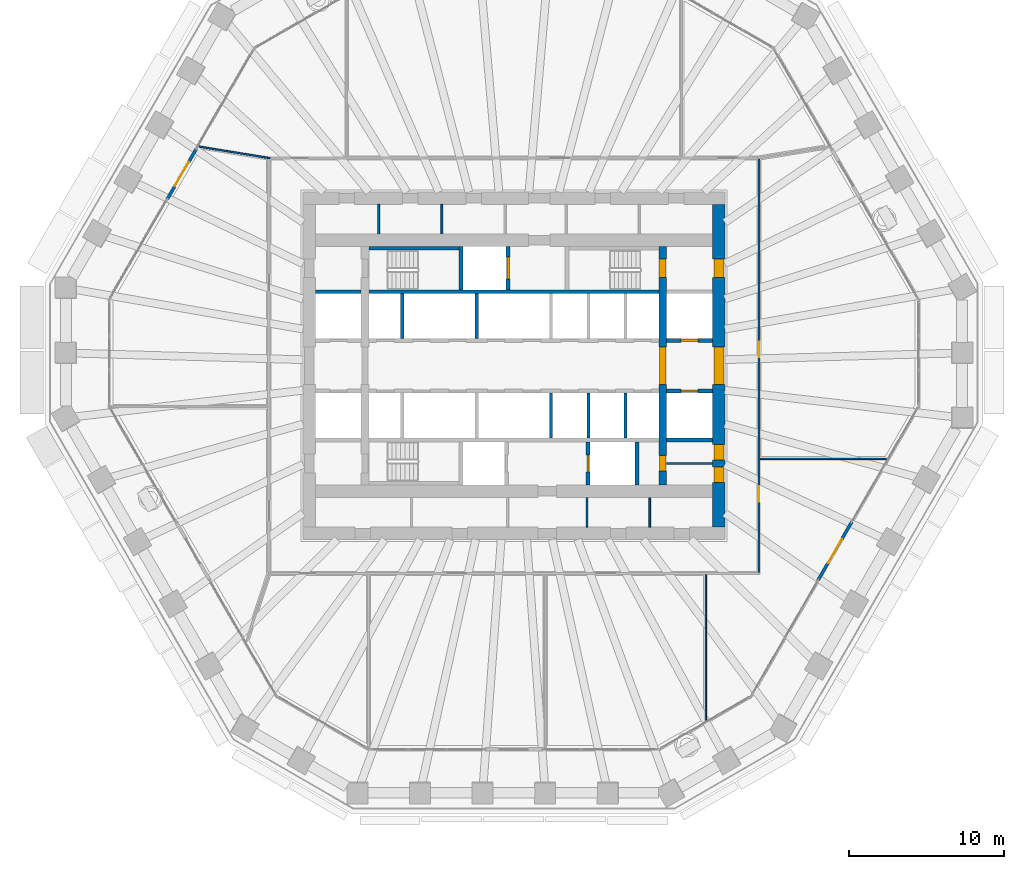
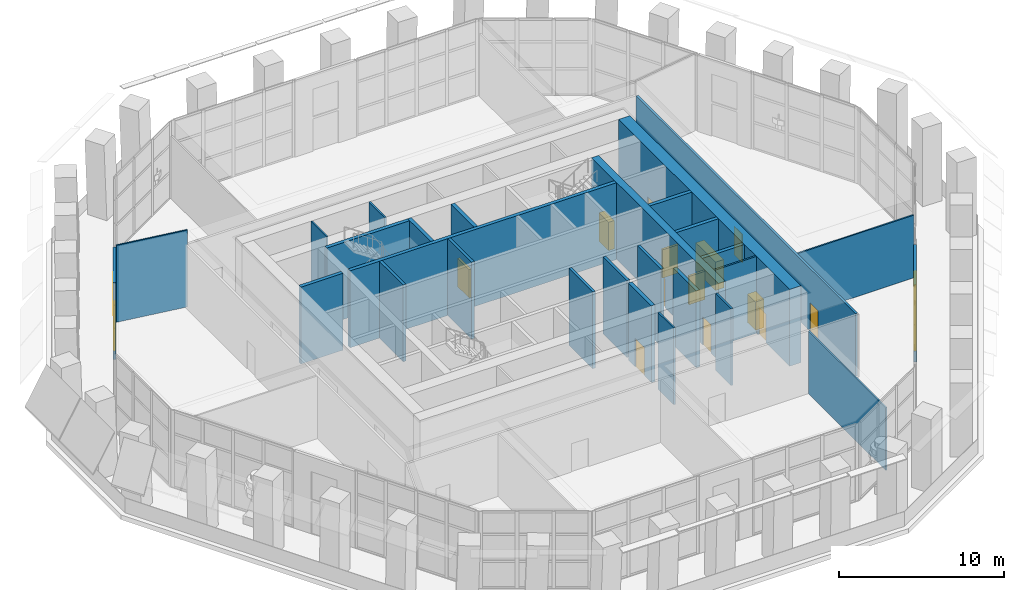
# One storey, part 15 of 22: 28 walls, 15 doors, 2 windows, 17 openings.
"""IFC4 building model written with IfcOpenShell, lengths in metres."""

from ifc_helpers import new_model, si_unit, direction, frame, frame_2d, origin, place, context, subcontext, project, spatial, rectangle, extrude, material, layer, layer_set, type_object, element, fill, save


model = new_model("IFC4")

# Units and contexts
model_context = context("Model", 3, precision=1e-05, world=origin(), true_north=direction((0.0, 1.0)))
body_context = subcontext(model_context, "Body", "Model", "MODEL_VIEW")
ifc_project = project(units=[si_unit("LENGTHUNIT", "METRE"), si_unit("AREAUNIT", "SQUARE_METRE"), si_unit("VOLUMEUNIT", "CUBIC_METRE"), si_unit("PLANEANGLEUNIT", "RADIAN"), si_unit("MASSUNIT", "GRAM", prefix="KILO")], contexts=[model_context])

# Site, building, storey
site_placement = place(None, origin())
site = spatial("IfcSite", under=ifc_project, at=site_placement, CompositionType="ELEMENT")
building_placement = place(site_placement, origin())
building = spatial("IfcBuilding", under=site, at=building_placement, Name="Frailejon Research Tower", CompositionType="ELEMENT")
storey_placement = place(building_placement, frame((0.0, 0.0, 107.199951171875)))
storey = spatial("IfcBuildingStorey", under=building, at=storey_placement, Name="L23", CompositionType="ELEMENT", Elevation=107.199951171875)

# Walls
ifc_material_1 = material(Name="Plasterboard on steel studs", Category="steel")
ifc_layer_1 = layer(ifc_material_1, 0.125)
ifc_layer_set_1 = layer_set([ifc_layer_1], Name="Core partition 125")
wall_type_1 = type_object("IfcWallType", Name="Core partition 125", PredefinedType="PARTITIONING", material=ifc_layer_set_1)
wall_1_placement = place(storey_placement, frame((9.85009765625, -6.300048828125, 0.0), z_axis=(0.0, 0.0, 1.0), x_axis=(1.0, 0.0, 0.0)))
element("IfcWall", 1, at=wall_1_placement, inside=storey, type_object=wall_type_1, Name="Core partition", PredefinedType="PARTITIONING", context=body_context, shape_type="SweptSolid", body=[
    extrude(rectangle(XDim=2.949951171875, YDim=0.125, at=frame_2d((1.47509765625, 0.0))), origin(), (0.0, 0.0, 1.0), 5.699951171875),
])
for number, where, z_axis, x_axis, name in (
    (2, (-8.720703125, 8.5, 0.0), (0.0, 0.0, 1.0), (0.0, 1.0, 0.0), "Core partition"),
    (3, (-4.6416015625, 8.5, 0.0), (0.0, 0.0, 1.0), (0.0, 1.0, 0.0), "Core partition"),
    (4, (4.71240234375, -10.39990234375, 0.0), (0.0, 0.0, 1.0), (0.0, 1.0, 0.0), "Core partition"),
    (5, (8.756103515625, -10.39990234375, 0.0), (0.0, 0.0, 1.0), (0.0, 1.0, 0.0), "Core partition"),
):
    element("IfcWall", number, at=place(storey_placement, frame(where, z_axis=z_axis, x_axis=x_axis)), inside=storey, type_object=wall_type_1, Name=name, PredefinedType="PARTITIONING", context=body_context, shape_type="SweptSolid", body=[
        extrude(rectangle(XDim=1.89990234375, YDim=0.125, at=frame_2d((0.949951171875, 0.0))), origin(), (0.0, 0.0, 1.0), 5.699951171875),
    ])

# Wall, openings, doors
ifc_material_2 = material(Name="Concrete C70/85", Category="concrete")
ifc_layer_2 = layer(ifc_material_2, 0.5)
ifc_layer_set_2 = layer_set([ifc_layer_2], Name="Core shear wall 500 C70/85")
wall_type_2 = type_object("IfcWallType", Name="Core shear wall 500 C70/85", PredefinedType="SHEAR", material=ifc_layer_set_2)
wall_2_placement = place(storey_placement, frame((9.60009765625, -7.699951171875, 0.0), z_axis=(0.0, 0.0, 1.0), x_axis=(0.0, 1.0, 0.0)))
wall_2 = element("IfcWall", 6, at=wall_2_placement, inside=storey, type_object=wall_type_2, Name="Core shear wall", PredefinedType="SHEAR", context=body_context, shape_type="SweptSolid", body=[
    extrude(rectangle(XDim=15.39990234375, YDim=0.5, at=frame_2d((7.699951171875, 0.0))), origin(), (0.0, 0.0, 1.0), 5.699951171875),
])
opening_1_placement = place(wall_2_placement, frame((6.5, 0.0, 0.0)))
opening_1 = element("IfcOpeningElement", 7, at=opening_1_placement, cuts=wall_2, Name="Opening D2", PredefinedType="OPENING", context=body_context, shape_type="SweptSolid", body=[
    extrude(rectangle(XDim=2.39990234375, YDim=2.10009765625, at=frame_2d((1.199951171875, 1.050048828125))), frame((0.0, 0.260009765625, 0.0), z_axis=(0.0, -1.0, 0.0), x_axis=(1.0, 0.0, 0.0)), (0.0, 0.0, 1.0), 0.52001953125),
])
opening_2_placement = place(wall_2_placement, frame((13.39990234375, 0.0, 0.0)))
opening_2 = element("IfcOpeningElement", 8, at=opening_2_placement, cuts=wall_2, Name="Opening D1", PredefinedType="OPENING", context=body_context, shape_type="SweptSolid", body=[
    extrude(rectangle(XDim=1.199951171875, YDim=2.10009765625, at=frame_2d((0.60009765625, 1.050048828125))), frame((0.0, 0.260009765625, 0.0), z_axis=(0.0, -1.0, 0.0), x_axis=(1.0, 0.0, 0.0)), (0.0, 0.0, 1.0), 0.52001953125),
])
opening_3_placement = place(wall_2_placement, frame((0.89990234375, 0.0, 0.0)))
opening_3 = element("IfcOpeningElement", 9, at=opening_3_placement, cuts=wall_2, Name="Opening D4", PredefinedType="OPENING", context=body_context, shape_type="SweptSolid", body=[
    extrude(rectangle(XDim=1.0, YDim=2.10009765625, at=frame_2d((0.5, 1.050048828125))), frame((0.0, 0.260009765625, 0.0), z_axis=(0.0, -1.0, 0.0), x_axis=(1.0, 0.0, 0.0)), (0.0, 0.0, 1.0), 0.52001953125),
])
ifc_material_3 = material(Name="Steel", Category="steel")
door_type_1 = type_object("IfcDoorType", Name="Lobby double door", OperationType="DOUBLE_DOOR_SINGLE_SWING", PredefinedType="DOOR", material=ifc_material_3)
door_1_placement = place(opening_1_placement, origin())
door_1 = element("IfcDoor", 10, at=door_1_placement, inside=storey, type_object=door_type_1, Name="Lobby door", OperationType="DOUBLE_DOOR_SINGLE_SWING", OverallHeight=2.10009765625, OverallWidth=2.39990234375, PredefinedType="DOOR", context=body_context, shape_type="SweptSolid", body=[
    extrude(rectangle(XDim=2.39990234375, YDim=2.10009765625, at=frame_2d((1.199951171875, 1.050048828125))), frame((0.0, 0.199951171875, 0.0), z_axis=(0.0, -1.0, 0.0), x_axis=(1.0, 0.0, 0.0)), (0.0, 0.0, 1.0), 0.39990234375),
])
fill(opening_1, door_1)
ifc_material_4 = material(Name="Steel", Category="steel")
door_type_2 = type_object("IfcDoorType", Name="Service door", OperationType="SINGLE_SWING_LEFT", PredefinedType="DOOR", material=ifc_material_4)
door_2_placement = place(opening_3_placement, origin())
door_2 = element("IfcDoor", 11, at=door_2_placement, inside=storey, type_object=door_type_2, Name="Riser door", OperationType="SINGLE_SWING_RIGHT", OverallHeight=2.10009765625, OverallWidth=1.0, PredefinedType="DOOR", context=body_context, shape_type="SweptSolid", body=[
    extrude(rectangle(XDim=1.0, YDim=2.10009765625, at=frame_2d((0.5, 1.050048828125))), frame((0.0, 0.199951171875, 0.0), z_axis=(0.0, -1.0, 0.0), x_axis=(1.0, 0.0, 0.0)), (0.0, 0.0, 1.0), 0.39990234375),
])
fill(opening_3, door_2)
ifc_material_5 = material(Name="Steel", Category="steel")
door_type_3 = type_object("IfcDoorType", Name="Stair door", OperationType="SINGLE_SWING_LEFT", PredefinedType="DOOR", material=ifc_material_5)
door_3_placement = place(opening_2_placement, origin())
door_3 = element("IfcDoor", 12, at=door_3_placement, inside=storey, type_object=door_type_3, Name="Stair door ST3", OperationType="SINGLE_SWING_RIGHT", OverallHeight=2.10009765625, OverallWidth=1.199951171875, PredefinedType="DOOR", context=body_context, shape_type="SweptSolid", body=[
    extrude(rectangle(XDim=1.199951171875, YDim=2.10009765625, at=frame_2d((0.60009765625, 1.050048828125))), frame((0.0, 0.199951171875, 0.0), z_axis=(0.0, -1.0, 0.0), x_axis=(1.0, 0.0, 0.0)), (0.0, 0.0, 1.0), 0.39990234375),
])
fill(opening_2, door_3)

ifc_material_6 = material(Name="Concrete C70/85", Category="concrete")
ifc_layer_3 = layer(ifc_material_6, 0.800048828125)
ifc_layer_set_3 = layer_set([ifc_layer_3], Name="Core shear wall 800 C70/85")
wall_type_3 = type_object("IfcWallType", Name="Core shear wall 800 C70/85", PredefinedType="SHEAR", material=ifc_layer_set_3)
wall_3_placement = place(storey_placement, frame((13.199951171875, -10.39990234375, 0.0), z_axis=(0.0, 0.0, 1.0), x_axis=(0.0, 1.0, 0.0)))
wall_3 = element("IfcWall", 13, at=wall_3_placement, inside=storey, type_object=wall_type_3, Name="Core shear wall", PredefinedType="SHEAR", context=body_context, shape_type="SweptSolid", body=[
    extrude(rectangle(XDim=20.7998046875, YDim=0.800048828125, at=frame_2d((10.39990234375, 0.0))), origin(), (0.0, 0.0, 1.0), 5.699951171875),
])
opening_4_placement = place(wall_3_placement, frame((9.199951171875, 0.0, 0.0)))
opening_4 = element("IfcOpeningElement", 14, at=opening_4_placement, cuts=wall_3, Name="Opening D2", PredefinedType="OPENING", context=body_context, shape_type="SweptSolid", body=[
    extrude(rectangle(XDim=2.39990234375, YDim=2.10009765625, at=frame_2d((1.199951171875, 1.050048828125))), frame((0.0, 0.409912109375, 0.0), z_axis=(0.0, -1.0, 0.0), x_axis=(1.0, 0.0, 0.0)), (0.0, 0.0, 1.0), 0.820068359375),
])
opening_5_placement = place(wall_3_placement, frame((16.10009765625, 0.0, 0.0)))
opening_5 = element("IfcOpeningElement", 15, at=opening_5_placement, cuts=wall_3, Name="Opening D7", PredefinedType="OPENING", context=body_context, shape_type="SweptSolid", body=[
    extrude(rectangle(XDim=1.199951171875, YDim=2.10009765625, at=frame_2d((0.60009765625, 1.050048828125))), frame((0.0, 0.409912109375, 0.0), z_axis=(0.0, -1.0, 0.0), x_axis=(1.0, 0.0, 0.0)), (0.0, 0.0, 1.0), 0.820068359375),
])
opening_6_placement = place(wall_3_placement, frame((2.868896484375, 0.0, 0.0)))
opening_6 = element("IfcOpeningElement", 16, at=opening_6_placement, cuts=wall_3, Name="Opening D4", PredefinedType="OPENING", context=body_context, shape_type="SweptSolid", body=[
    extrude(rectangle(XDim=1.0, YDim=2.10009765625, at=frame_2d((0.5, 1.050048828125))), frame((0.0, 0.409912109375, 0.0), z_axis=(0.0, -1.0, 0.0), x_axis=(1.0, 0.0, 0.0)), (0.0, 0.0, 1.0), 0.820068359375),
])
opening_7_placement = place(wall_3_placement, frame((4.331298828125, 0.0, 0.0)))
opening_7 = element("IfcOpeningElement", 17, at=opening_7_placement, cuts=wall_3, Name="Opening D4", PredefinedType="OPENING", context=body_context, shape_type="SweptSolid", body=[
    extrude(rectangle(XDim=1.0, YDim=2.10009765625, at=frame_2d((0.5, 1.050048828125))), frame((0.0, 0.409912109375, 0.0), z_axis=(0.0, -1.0, 0.0), x_axis=(1.0, 0.0, 0.0)), (0.0, 0.0, 1.0), 0.820068359375),
])
door_4_placement = place(opening_4_placement, origin())
door_4 = element("IfcDoor", 18, at=door_4_placement, inside=storey, type_object=door_type_1, Name="Lobby door", OperationType="DOUBLE_DOOR_SINGLE_SWING", OverallHeight=2.10009765625, OverallWidth=2.39990234375, PredefinedType="DOOR", context=body_context, shape_type="SweptSolid", body=[
    extrude(rectangle(XDim=2.39990234375, YDim=2.10009765625, at=frame_2d((1.199951171875, 1.050048828125))), frame((0.0, 0.300048828125, 0.0), z_axis=(0.0, -1.0, 0.0), x_axis=(1.0, 0.0, 0.0)), (0.0, 0.0, 1.0), 0.60009765625),
])
fill(opening_4, door_4)
door_5_placement = place(opening_6_placement, origin())
door_5 = element("IfcDoor", 19, at=door_5_placement, inside=storey, type_object=door_type_2, Name="Store door", OperationType="SINGLE_SWING_LEFT", OverallHeight=2.10009765625, OverallWidth=1.0, PredefinedType="DOOR", context=body_context, shape_type="SweptSolid", body=[
    extrude(rectangle(XDim=1.0, YDim=2.10009765625, at=frame_2d((0.5, 1.050048828125))), frame((0.0, 0.300048828125, 0.0), z_axis=(0.0, -1.0, 0.0), x_axis=(1.0, 0.0, 0.0)), (0.0, 0.0, 1.0), 0.60009765625),
])
fill(opening_6, door_5)
door_6_placement = place(opening_7_placement, origin())
door_6 = element("IfcDoor", 20, at=door_6_placement, inside=storey, type_object=door_type_2, Name="Store door", OperationType="SINGLE_SWING_RIGHT", OverallHeight=2.10009765625, OverallWidth=1.0, PredefinedType="DOOR", context=body_context, shape_type="SweptSolid", body=[
    extrude(rectangle(XDim=1.0, YDim=2.10009765625, at=frame_2d((0.5, 1.050048828125))), frame((0.0, 0.300048828125, 0.0), z_axis=(0.0, -1.0, 0.0), x_axis=(1.0, 0.0, 0.0)), (0.0, 0.0, 1.0), 0.60009765625),
])
fill(opening_7, door_6)
ifc_material_7 = material(Name="Steel", Category="steel")
door_type_4 = type_object("IfcDoorType", Name="Stair exit door", OperationType="SINGLE_SWING_LEFT", PredefinedType="DOOR", material=ifc_material_7)
door_7_placement = place(opening_5_placement, origin())
door_7 = element("IfcDoor", 21, at=door_7_placement, inside=storey, type_object=door_type_4, Name="Stair exit door ST3", OperationType="SINGLE_SWING_LEFT", OverallHeight=2.10009765625, OverallWidth=1.199951171875, PredefinedType="DOOR", context=body_context, shape_type="SweptSolid", body=[
    extrude(rectangle(XDim=1.199951171875, YDim=2.10009765625, at=frame_2d((0.60009765625, 1.050048828125))), frame((0.0, 0.300048828125, 0.0), z_axis=(0.0, -1.0, 0.0), x_axis=(1.0, 0.0, 0.0)), (0.0, 0.0, 1.0), 0.60009765625),
])
fill(opening_5, door_7)

ifc_material_8 = material(Name="Gypsum board and masonry partition", Category="masonry")
ifc_layer_4 = layer(ifc_material_8, 0.14990234375)
ifc_layer_set_4 = layer_set([ifc_layer_4], Name="Corridor wall EI 60, gypsum on steel studs 150")
wall_type_4 = type_object("IfcWallType", Name="Corridor wall EI 60, gypsum on steel studs 150", PredefinedType="PARTITIONING", material=ifc_layer_set_4)
wall_4_placement = place(storey_placement, frame((15.800048828125, -13.324951171875, 0.0), z_axis=(0.0, 0.0, 1.0), x_axis=(0.0, 1.0, 0.0)))
wall_4 = element("IfcWall", 22, at=wall_4_placement, inside=storey, type_object=wall_type_4, Name="T:IW:L23:001", PredefinedType="PARTITIONING", context=body_context, shape_type="SweptSolid", body=[
    extrude(rectangle(XDim=26.64990234375, YDim=0.14990234375, at=frame_2d((13.324951171875, 0.0))), origin(), (0.0, 0.0, 1.0), 4.650146484375),
])
opening_8_placement = place(wall_4_placement, frame((13.866943359375, 0.0, 0.0)))
opening_8 = element("IfcOpeningElement", 23, at=opening_8_placement, cuts=wall_4, Name="Opening D1099", PredefinedType="OPENING", context=body_context, shape_type="SweptSolid", body=[
    extrude(rectangle(XDim=1.0, YDim=2.10009765625, at=frame_2d((0.5, 1.050048828125))), frame((0.0, 0.0849609375, 0.0), z_axis=(0.0, -1.0, 0.0), x_axis=(1.0, 0.0, 0.0)), (0.0, 0.0, 1.0), 0.169921875),
])
opening_9_placement = place(wall_4_placement, frame((4.54638671875, 0.0, 0.0)))
opening_9 = element("IfcOpeningElement", 24, at=opening_9_placement, cuts=wall_4, Name="Opening D1108", PredefinedType="OPENING", context=body_context, shape_type="SweptSolid", body=[
    extrude(rectangle(XDim=1.0, YDim=2.10009765625, at=frame_2d((0.5, 1.050048828125))), frame((0.0, 0.0849609375, 0.0), z_axis=(0.0, -1.0, 0.0), x_axis=(1.0, 0.0, 0.0)), (0.0, 0.0, 1.0), 0.169921875),
])
ifc_material_9 = material(Name="Timber door leaf", Category="wood")
door_type_5 = type_object("IfcDoorType", Name="Door single leaf, timber, steel frame 1000", OperationType="NOTDEFINED", PredefinedType="DOOR", material=ifc_material_9)
door_8_placement = place(opening_8_placement, origin())
door_8 = element("IfcDoor", 25, at=door_8_placement, inside=storey, type_object=door_type_5, Name="D1099", OperationType="SINGLE_SWING_LEFT", OverallHeight=2.10009765625, OverallWidth=1.0, PredefinedType="DOOR", context=body_context, shape_type="SweptSolid", body=[
    extrude(rectangle(XDim=1.0, YDim=2.10009765625, at=frame_2d((0.5, 1.050048828125))), frame((0.0, 0.02490234375, 0.0), z_axis=(0.0, -1.0, 0.0), x_axis=(1.0, 0.0, 0.0)), (0.0, 0.0, 1.0), 0.050048828125),
])
fill(opening_8, door_8)
door_9_placement = place(opening_9_placement, origin())
door_9 = element("IfcDoor", 26, at=door_9_placement, inside=storey, type_object=door_type_5, Name="D1108", OperationType="SINGLE_SWING_RIGHT", OverallHeight=2.10009765625, OverallWidth=1.0, PredefinedType="DOOR", context=body_context, shape_type="SweptSolid", body=[
    extrude(rectangle(XDim=1.0, YDim=2.10009765625, at=frame_2d((0.5, 1.050048828125))), frame((0.0, 0.02490234375, 0.0), z_axis=(0.0, -1.0, 0.0), x_axis=(1.0, 0.0, 0.0)), (0.0, 0.0, 1.0), 0.050048828125),
])
fill(opening_9, door_9)

# Walls
ifc_material_10 = material(Name="Gypsum board and masonry partition", Category="masonry")
ifc_layer_5 = layer(ifc_material_10, 0.10009765625)
ifc_layer_set_5 = layer_set([ifc_layer_5], Name="Partition, gypsum on steel studs 100")
wall_type_5 = type_object("IfcWallType", Name="Partition, gypsum on steel studs 100", PredefinedType="PARTITIONING", material=ifc_layer_set_5)
wall_5_placement = place(storey_placement, frame((15.875, -6.004638671875, 0.0), z_axis=(0.0, 0.0, 1.0), x_axis=(1.0, 0.0, 0.0)))
element("IfcWall", 27, at=wall_5_placement, inside=storey, type_object=wall_type_5, Name="T:IW:L23:006", PredefinedType="PARTITIONING", context=body_context, shape_type="SweptSolid", body=[
    extrude(rectangle(XDim=8.139892578125, YDim=0.10009765625, at=frame_2d((4.06982421875, 0.0))), origin(), (0.0, 0.0, 1.0), 4.650146484375),
])
wall_6_placement = place(storey_placement, frame((-20.281982421875, 14.1298828125, 0.0), z_axis=(0.0, 0.0, 1.0), x_axis=(0.986997514781, -0.160735515107, 0.0)))
element("IfcWall", 28, at=wall_6_placement, inside=storey, type_object=wall_type_5, Name="T:IW:L23:009", PredefinedType="PARTITIONING", context=body_context, shape_type="SweptSolid", body=[
    extrude(rectangle(XDim=4.615966796875, YDim=0.10009765625, at=frame_2d((2.30810546875, 0.0))), origin(), (0.0, 0.0, 1.0), 5.699951171875),
])
wall_7_placement = place(storey_placement, frame((12.37744140625, -22.86669921875, 0.0), z_axis=(0.0, 0.0, 1.0), x_axis=(0.0, 1.0, 0.0)))
element("IfcWall", 29, at=wall_7_placement, inside=storey, type_object=wall_type_5, Name="T:IW:L23:014", PredefinedType="PARTITIONING", context=body_context, shape_type="SweptSolid", body=[
    extrude(rectangle(XDim=9.3916015625, YDim=0.10009765625, at=frame_2d((4.69580078125, 0.0))), origin(), (0.0, 0.0, 1.0), 4.650146484375),
])
ifc_material_11 = material(Name="Concrete C70/85", Category="concrete")
ifc_layer_6 = layer(ifc_material_11, 0.199951171875)
ifc_layer_set_6 = layer_set([ifc_layer_6], Name="Shaft wall 200 C70/85")
wall_type_6 = type_object("IfcWallType", Name="Shaft wall 200 C70/85", PredefinedType="SOLIDWALL", material=ifc_layer_set_6)
for number, where, z_axis, x_axis, name in (
    (30, (-7.199951171875, 1.75, 0.0), (0.0, 0.0, 1.0), (0.0, 1.0, 0.0), "Shaft wall"),
    (31, (-2.39990234375, 1.75, 0.0), (0.0, 0.0, 1.0), (0.0, 1.0, 0.0), "Shaft wall"),
    (32, (2.39990234375, -4.64990234375, 0.0), (0.0, 0.0, 1.0), (0.0, 1.0, 0.0), "Shaft wall"),
    (33, (4.800048828125, -4.64990234375, 0.0), (0.0, 0.0, 1.0), (0.0, 1.0, 0.0), "Shaft wall"),
    (34, (7.199951171875, -4.64990234375, 0.0), (0.0, 0.0, 1.0), (0.0, 1.0, 0.0), "Shaft wall"),
):
    element("IfcWall", number, at=place(storey_placement, frame(where, z_axis=z_axis, x_axis=x_axis)), inside=storey, type_object=wall_type_6, Name=name, PredefinedType="SOLIDWALL", context=body_context, shape_type="SweptSolid", body=[
        extrude(rectangle(XDim=2.89990234375, YDim=0.199951171875, at=frame_2d((1.449951171875, 0.0))), origin(), (0.0, 0.0, 1.0), 5.699951171875),
    ])

# Wall, opening, door
ifc_material_12 = material(Name="Concrete C70/85", Category="concrete")
ifc_layer_7 = layer(ifc_material_12, 0.25)
ifc_layer_set_7 = layer_set([ifc_layer_7], Name="Shaft wall 250 C70/85")
wall_type_7 = type_object("IfcWallType", Name="Shaft wall 250 C70/85", PredefinedType="SOLIDWALL", material=ifc_layer_set_7)
wall_8_placement = place(storey_placement, frame((9.85009765625, 1.625, 0.0), z_axis=(0.0, 0.0, 1.0), x_axis=(1.0, 0.0, 0.0)))
wall_8 = element("IfcWall", 35, at=wall_8_placement, inside=storey, type_object=wall_type_7, Name="Shaft wall", PredefinedType="SOLIDWALL", context=body_context, shape_type="SweptSolid", body=[
    extrude(rectangle(XDim=2.949951171875, YDim=0.25, at=frame_2d((1.47509765625, 0.0))), origin(), (0.0, 0.0, 1.0), 5.699951171875),
])
opening_10_placement = place(wall_8_placement, frame((0.925048828125, 0.0, 0.0)))
opening_10 = element("IfcOpeningElement", 36, at=opening_10_placement, cuts=wall_8, Name="Opening LD", PredefinedType="OPENING", context=body_context, shape_type="SweptSolid", body=[
    extrude(rectangle(XDim=1.10009765625, YDim=2.10009765625, at=frame_2d((0.550048828125, 1.050048828125))), frame((0.0, 0.135009765625, 0.0), z_axis=(0.0, -1.0, 0.0), x_axis=(1.0, 0.0, 0.0)), (0.0, 0.0, 1.0), 0.27001953125),
])
ifc_material_13 = material(Name="Steel", Category="steel")
door_type_6 = type_object("IfcDoorType", Name="Lift landing door", OperationType="DOUBLE_DOOR_SLIDING", PredefinedType="DOOR", material=ifc_material_13)
door_10_placement = place(opening_10_placement, origin())
door_10 = element("IfcDoor", 37, at=door_10_placement, inside=storey, type_object=door_type_6, Name="Lift landing door", OperationType="DOUBLE_DOOR_SLIDING", OverallHeight=2.10009765625, OverallWidth=1.10009765625, PredefinedType="DOOR", context=body_context, shape_type="SweptSolid", body=[
    extrude(rectangle(XDim=1.10009765625, YDim=2.10009765625, at=frame_2d((0.550048828125, 1.050048828125))), frame((0.0, 0.074951171875, 0.0), z_axis=(0.0, -1.0, 0.0), x_axis=(1.0, 0.0, 0.0)), (0.0, 0.0, 1.0), 0.14990234375),
])
fill(opening_10, door_10)

# Walls
wall_9_placement = place(storey_placement, frame((-12.800048828125, 4.77490234375, 0.0), z_axis=(0.0, 0.0, 1.0), x_axis=(1.0, 0.0, 0.0)))
element("IfcWall", 38, at=wall_9_placement, inside=storey, type_object=wall_type_7, Name="Shaft wall", PredefinedType="SOLIDWALL", context=body_context, shape_type="SweptSolid", body=[
    extrude(rectangle(XDim=2.949951171875, YDim=0.25, at=frame_2d((1.47509765625, 0.0))), origin(), (0.0, 0.0, 1.0), 5.699951171875),
])
wall_10_placement = place(storey_placement, frame((-9.35009765625, 4.77490234375, 0.0), z_axis=(0.0, 0.0, 1.0), x_axis=(1.0, 0.0, 0.0)))
element("IfcWall", 39, at=wall_10_placement, inside=storey, type_object=wall_type_7, Name="Shaft wall", PredefinedType="SOLIDWALL", context=body_context, shape_type="SweptSolid", body=[
    extrude(rectangle(XDim=18.7001953125, YDim=0.25, at=frame_2d((9.35009765625, 0.0))), origin(), (0.0, 0.0, 1.0), 5.699951171875),
])

# Wall, opening, door
wall_11_placement = place(storey_placement, frame((9.85009765625, -1.625, 0.0), z_axis=(0.0, 0.0, 1.0), x_axis=(1.0, 0.0, 0.0)))
wall_11 = element("IfcWall", 40, at=wall_11_placement, inside=storey, type_object=wall_type_7, Name="Shaft wall", PredefinedType="SOLIDWALL", context=body_context, shape_type="SweptSolid", body=[
    extrude(rectangle(XDim=2.949951171875, YDim=0.25, at=frame_2d((1.47509765625, 0.0))), origin(), (0.0, 0.0, 1.0), 5.699951171875),
])
opening_11_placement = place(wall_11_placement, frame((0.925048828125, 0.0, 0.0)))
opening_11 = element("IfcOpeningElement", 41, at=opening_11_placement, cuts=wall_11, Name="Opening LD", PredefinedType="OPENING", context=body_context, shape_type="SweptSolid", body=[
    extrude(rectangle(XDim=1.10009765625, YDim=2.10009765625, at=frame_2d((0.550048828125, 1.050048828125))), frame((0.0, 0.135009765625, 0.0), z_axis=(0.0, -1.0, 0.0), x_axis=(1.0, 0.0, 0.0)), (0.0, 0.0, 1.0), 0.27001953125),
])
door_11_placement = place(opening_11_placement, origin())
door_11 = element("IfcDoor", 42, at=door_11_placement, inside=storey, type_object=door_type_6, Name="Lift landing door", OperationType="DOUBLE_DOOR_SLIDING", OverallHeight=2.10009765625, OverallWidth=1.10009765625, PredefinedType="DOOR", context=body_context, shape_type="SweptSolid", body=[
    extrude(rectangle(XDim=1.10009765625, YDim=2.10009765625, at=frame_2d((0.550048828125, 1.050048828125))), frame((0.0, 0.074951171875, 0.0), z_axis=(0.0, -1.0, 0.0), x_axis=(1.0, 0.0, 0.0)), (0.0, 0.0, 1.0), 0.14990234375),
])
fill(opening_11, door_11)

# Walls
wall_12_placement = place(storey_placement, frame((9.85009765625, -4.77490234375, 0.0), z_axis=(0.0, 0.0, 1.0), x_axis=(1.0, 0.0, 0.0)))
element("IfcWall", 43, at=wall_12_placement, inside=storey, type_object=wall_type_7, Name="Shaft wall", PredefinedType="SOLIDWALL", context=body_context, shape_type="SweptSolid", body=[
    extrude(rectangle(XDim=2.949951171875, YDim=0.25, at=frame_2d((1.47509765625, 0.0))), origin(), (0.0, 0.0, 1.0), 5.699951171875),
])
wall_13_placement = place(storey_placement, frame((-9.35009765625, 7.574951171875, 0.0), z_axis=(0.0, 0.0, 1.0), x_axis=(1.0, 0.0, 0.0)))
element("IfcWall", 44, at=wall_13_placement, inside=storey, type_object=wall_type_7, Name="Shaft wall", PredefinedType="SOLIDWALL", context=body_context, shape_type="SweptSolid", body=[
    extrude(rectangle(XDim=5.800048828125, YDim=0.25, at=frame_2d((2.89990234375, 0.0))), origin(), (0.0, 0.0, 1.0), 5.699951171875),
])
wall_14_placement = place(storey_placement, frame((-3.425048828125, 4.89990234375, 0.0), z_axis=(0.0, 0.0, 1.0), x_axis=(0.0, 1.0, 0.0)))
element("IfcWall", 45, at=wall_14_placement, inside=storey, type_object=wall_type_7, Name="Shaft wall", PredefinedType="SOLIDWALL", context=body_context, shape_type="SweptSolid", body=[
    extrude(rectangle(XDim=2.800048828125, YDim=0.25, at=frame_2d((1.39990234375, 0.0))), origin(), (0.0, 0.0, 1.0), 5.699951171875),
])

# Wall, opening, door
wall_15_placement = place(storey_placement, frame((-0.375, 4.89990234375, 0.0), z_axis=(0.0, 0.0, 1.0), x_axis=(0.0, 1.0, 0.0)))
wall_15 = element("IfcWall", 46, at=wall_15_placement, inside=storey, type_object=wall_type_7, Name="Shaft wall", PredefinedType="SOLIDWALL", context=body_context, shape_type="SweptSolid", body=[
    extrude(rectangle(XDim=2.800048828125, YDim=0.25, at=frame_2d((1.39990234375, 0.0))), origin(), (0.0, 0.0, 1.0), 5.699951171875),
])
opening_12_placement = place(wall_15_placement, frame((0.699951171875, 0.0, 0.0)))
opening_12 = element("IfcOpeningElement", 47, at=opening_12_placement, cuts=wall_15, Name="Opening LD2", PredefinedType="OPENING", context=body_context, shape_type="SweptSolid", body=[
    extrude(rectangle(XDim=1.39990234375, YDim=2.10009765625, at=frame_2d((0.699951171875, 1.050048828125))), frame((0.0, 0.135009765625, 0.0), z_axis=(0.0, -1.0, 0.0), x_axis=(1.0, 0.0, 0.0)), (0.0, 0.0, 1.0), 0.27001953125),
])
ifc_material_14 = material(Name="Stainless steel", Category="steel")
door_type_7 = type_object("IfcDoorType", Name="Goods landing door", OperationType="DOUBLE_DOOR_SLIDING", PredefinedType="DOOR", material=ifc_material_14)
door_12_placement = place(opening_12_placement, origin())
door_12 = element("IfcDoor", 48, at=door_12_placement, inside=storey, type_object=door_type_7, Name="Lift landing door", OperationType="DOUBLE_DOOR_SLIDING", OverallHeight=2.10009765625, OverallWidth=1.39990234375, PredefinedType="DOOR", context=body_context, shape_type="SweptSolid", body=[
    extrude(rectangle(XDim=1.39990234375, YDim=2.10009765625, at=frame_2d((0.699951171875, 1.050048828125))), frame((0.0, 0.074951171875, 0.0), z_axis=(0.0, -1.0, 0.0), x_axis=(1.0, 0.0, 0.0)), (0.0, 0.0, 1.0), 0.14990234375),
])
fill(opening_12, door_12)

wall_16_placement = place(storey_placement, frame((4.77490234375, -7.699951171875, 0.0), z_axis=(0.0, 0.0, 1.0), x_axis=(0.0, 1.0, 0.0)))
wall_16 = element("IfcWall", 49, at=wall_16_placement, inside=storey, type_object=wall_type_7, Name="Shaft wall", PredefinedType="SOLIDWALL", context=body_context, shape_type="SweptSolid", body=[
    extrude(rectangle(XDim=2.800048828125, YDim=0.25, at=frame_2d((1.39990234375, 0.0))), origin(), (0.0, 0.0, 1.0), 5.699951171875),
])
opening_13_placement = place(wall_16_placement, frame((0.85009765625, 0.0, 0.0)))
opening_13 = element("IfcOpeningElement", 50, at=opening_13_placement, cuts=wall_16, Name="Opening LD", PredefinedType="OPENING", context=body_context, shape_type="SweptSolid", body=[
    extrude(rectangle(XDim=1.10009765625, YDim=2.10009765625, at=frame_2d((0.550048828125, 1.050048828125))), frame((0.0, 0.135009765625, 0.0), z_axis=(0.0, -1.0, 0.0), x_axis=(1.0, 0.0, 0.0)), (0.0, 0.0, 1.0), 0.27001953125),
])
door_13_placement = place(opening_13_placement, origin())
door_13 = element("IfcDoor", 51, at=door_13_placement, inside=storey, type_object=door_type_6, Name="Lift landing door", OperationType="DOUBLE_DOOR_SLIDING", OverallHeight=2.10009765625, OverallWidth=1.10009765625, PredefinedType="DOOR", context=body_context, shape_type="SweptSolid", body=[
    extrude(rectangle(XDim=1.10009765625, YDim=2.10009765625, at=frame_2d((0.550048828125, 1.050048828125))), frame((0.0, 0.074951171875, 0.0), z_axis=(0.0, -1.0, 0.0), x_axis=(1.0, 0.0, 0.0)), (0.0, 0.0, 1.0), 0.14990234375),
])
fill(opening_13, door_13)

# Wall
wall_17_placement = place(storey_placement, frame((7.925048828125, -7.699951171875, 0.0), z_axis=(0.0, 0.0, 1.0), x_axis=(0.0, 1.0, 0.0)))
element("IfcWall", 52, at=wall_17_placement, inside=storey, type_object=wall_type_7, Name="Shaft wall", PredefinedType="SOLIDWALL", context=body_context, shape_type="SweptSolid", body=[
    extrude(rectangle(XDim=2.800048828125, YDim=0.25, at=frame_2d((1.39990234375, 0.0))), origin(), (0.0, 0.0, 1.0), 5.699951171875),
])

# Wall, openings, door, window
ifc_material_15 = material(Name="Concrete C40/50 precast window wall panel", Category="concrete")
ifc_layer_8 = layer(ifc_material_15, 0.199951171875)
ifc_layer_set_8 = layer_set([ifc_layer_8], Name="Window wall 200")
wall_type_8 = type_object("IfcWallType", Name="Window wall 200", PredefinedType="SOLIDWALL", material=ifc_layer_set_8)
wall_18_placement = place(storey_placement, frame((-20.4814453125, 13.984375, 0.0), z_axis=(0.0, 0.0, 1.0), x_axis=(-0.500014392251, -0.866017094255, 0.0)))
wall_18 = element("IfcWall", 53, at=wall_18_placement, inside=storey, type_object=wall_type_8, Name="Door pier L23", PredefinedType="SOLIDWALL", context=body_context, shape_type="SweptSolid", body=[
    extrude(rectangle(XDim=3.740234375, YDim=0.199951171875, at=frame_2d((1.8701171875, 0.0))), origin(), (0.0, 0.0, 1.0), 5.699951171875),
])
opening_14_placement = place(wall_18_placement, frame((0.97021484375, 0.0, 0.0)))
opening_14 = element("IfcOpeningElement", 54, at=opening_14_placement, cuts=wall_18, Name="Opening LG23-3", PredefinedType="OPENING", context=body_context, shape_type="SweptSolid", body=[
    extrude(rectangle(XDim=1.800048828125, YDim=2.39990234375, at=frame_2d((0.89990234375, 1.199951171875))), frame((0.0, 0.10986328125, 0.0), z_axis=(0.0, -1.0, 0.0), x_axis=(1.0, 0.0, 0.0)), (0.0, 0.0, 1.0), 0.219970703125),
])
opening_15_placement = place(wall_18_placement, frame((0.97021484375, 0.0, 2.550048828125)))
opening_15 = element("IfcOpeningElement", 55, at=opening_15_placement, cuts=wall_18, Name="Opening W15", PredefinedType="OPENING", context=body_context, shape_type="SweptSolid", body=[
    extrude(rectangle(XDim=1.800048828125, YDim=2.050048828125, at=frame_2d((0.89990234375, 1.02490234375))), frame((0.0, 0.10986328125, 0.0), z_axis=(0.0, -1.0, 0.0), x_axis=(1.0, 0.0, 0.0)), (0.0, 0.0, 1.0), 0.219970703125),
])
ifc_material_16 = material(Name="Aluminium framed glazed door leaf", Category="aluminium")
door_type_8 = type_object("IfcDoorType", Name="Loggia door 1800x2400", OperationType="DOUBLE_DOOR_SINGLE_SWING", PredefinedType="DOOR", material=ifc_material_16)
door_14_placement = place(opening_14_placement, origin())
door_14 = element("IfcDoor", 56, at=door_14_placement, inside=storey, type_object=door_type_8, Name="Door LG23-3", OperationType="DOUBLE_DOOR_SINGLE_SWING", OverallHeight=2.39990234375, OverallWidth=1.800048828125, PredefinedType="DOOR", context=body_context, shape_type="SweptSolid", body=[
    extrude(rectangle(XDim=1.800048828125, YDim=2.39990234375, at=frame_2d((0.89990234375, 1.199951171875))), frame((0.0, 0.02490234375, 0.0), z_axis=(0.0, -1.0, 0.0), x_axis=(1.0, 0.0, 0.0)), (0.0, 0.0, 1.0), 0.050048828125),
])
fill(opening_14, door_14)
ifc_material_17 = material(Name="Aluminium framed double glazing", Category="aluminium")
window_type = type_object("IfcWindowType", Name="Window 1800x2050", PartitioningType="SINGLE_PANEL", PredefinedType="WINDOW", material=ifc_material_17)
window_1_placement = place(opening_15_placement, origin())
window_1 = element("IfcWindow", 57, at=window_1_placement, inside=storey, type_object=window_type, Name="Window L23", OverallHeight=2.050048828125, OverallWidth=1.800048828125, PartitioningType="SINGLE_PANEL", PredefinedType="WINDOW", context=body_context, shape_type="SweptSolid", body=[
    extrude(rectangle(XDim=1.800048828125, YDim=2.050048828125, at=frame_2d((0.89990234375, 1.02490234375))), frame((0.0, 0.030029296875, 0.0), z_axis=(0.0, -1.0, 0.0), x_axis=(1.0, 0.0, 0.0)), (0.0, 0.0, 1.0), 0.06005859375),
])
fill(opening_15, window_1)

wall_19_placement = place(storey_placement, frame((19.619140625, -13.818603515625, 0.0), z_axis=(0.0, 0.0, 1.0), x_axis=(0.50002119175, 0.866013168376, 0.0)))
wall_19 = element("IfcWall", 58, at=wall_19_placement, inside=storey, type_object=wall_type_8, Name="Door pier L23", PredefinedType="SOLIDWALL", context=body_context, shape_type="SweptSolid", body=[
    extrude(rectangle(XDim=4.315185546875, YDim=0.199951171875, at=frame_2d((2.15771484375, 0.0))), origin(), (0.0, 0.0, 1.0), 5.699951171875),
])
opening_16_placement = place(wall_19_placement, frame((1.257568359375, 0.0, 0.0)))
opening_16 = element("IfcOpeningElement", 59, at=opening_16_placement, cuts=wall_19, Name="Opening LG23-6", PredefinedType="OPENING", context=body_context, shape_type="SweptSolid", body=[
    extrude(rectangle(XDim=1.800048828125, YDim=2.39990234375, at=frame_2d((0.89990234375, 1.199951171875))), frame((0.0, 0.10986328125, 0.0), z_axis=(0.0, -1.0, 0.0), x_axis=(1.0, 0.0, 0.0)), (0.0, 0.0, 1.0), 0.219970703125),
])
opening_17_placement = place(wall_19_placement, frame((1.257568359375, 0.0, 2.550048828125)))
opening_17 = element("IfcOpeningElement", 60, at=opening_17_placement, cuts=wall_19, Name="Opening W15", PredefinedType="OPENING", context=body_context, shape_type="SweptSolid", body=[
    extrude(rectangle(XDim=1.800048828125, YDim=2.050048828125, at=frame_2d((0.89990234375, 1.02490234375))), frame((0.0, 0.10986328125, 0.0), z_axis=(0.0, -1.0, 0.0), x_axis=(1.0, 0.0, 0.0)), (0.0, 0.0, 1.0), 0.219970703125),
])
door_15_placement = place(opening_16_placement, origin())
door_15 = element("IfcDoor", 61, at=door_15_placement, inside=storey, type_object=door_type_8, Name="Door LG23-6", OperationType="DOUBLE_DOOR_SINGLE_SWING", OverallHeight=2.39990234375, OverallWidth=1.800048828125, PredefinedType="DOOR", context=body_context, shape_type="SweptSolid", body=[
    extrude(rectangle(XDim=1.800048828125, YDim=2.39990234375, at=frame_2d((0.89990234375, 1.199951171875))), frame((0.0, 0.02490234375, 0.0), z_axis=(0.0, -1.0, 0.0), x_axis=(1.0, 0.0, 0.0)), (0.0, 0.0, 1.0), 0.050048828125),
])
fill(opening_16, door_15)
window_2_placement = place(opening_17_placement, origin())
window_2 = element("IfcWindow", 62, at=window_2_placement, inside=storey, type_object=window_type, Name="Window L23", OverallHeight=2.050048828125, OverallWidth=1.800048828125, PartitioningType="SINGLE_PANEL", PredefinedType="WINDOW", context=body_context, shape_type="SweptSolid", body=[
    extrude(rectangle(XDim=1.800048828125, YDim=2.050048828125, at=frame_2d((0.89990234375, 1.02490234375))), frame((0.0, 0.030029296875, 0.0), z_axis=(0.0, -1.0, 0.0), x_axis=(1.0, 0.0, 0.0)), (0.0, 0.0, 1.0), 0.06005859375),
])
fill(opening_17, window_2)

save(model, "model.ifc")
